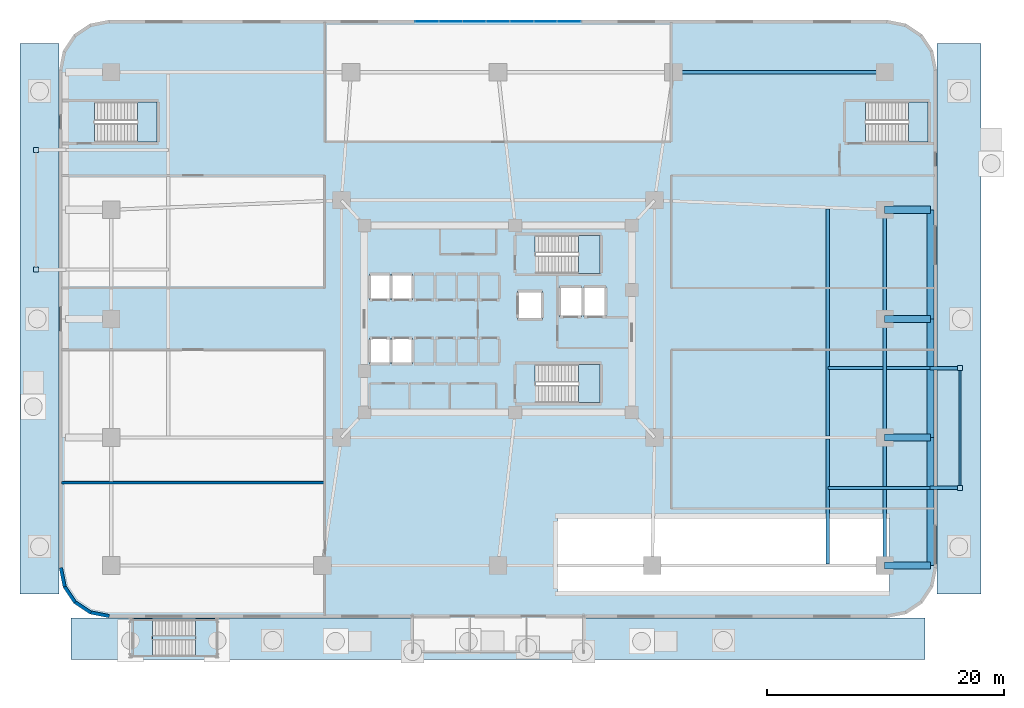
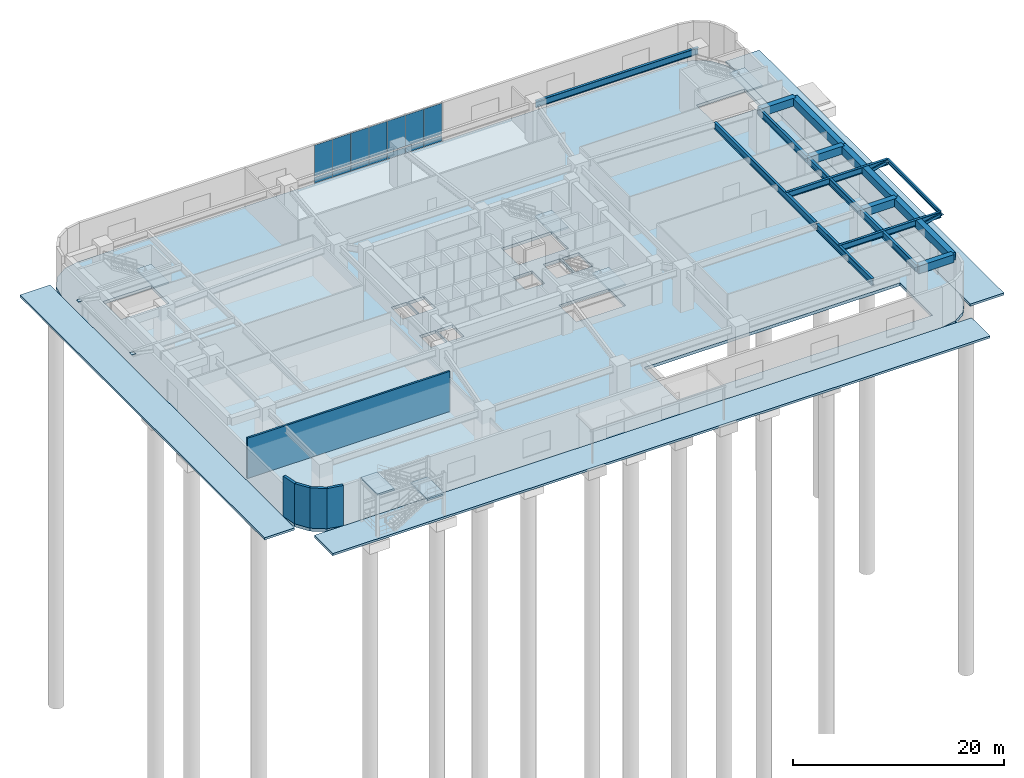
# One storey, part 10 of 18: 18 plates, 16 beams, 10 slabs, 5 walls, 2 members, 6 elements without a shape of their own.
"""IFC4 building model written with IfcOpenShell, lengths in metres."""

from ifc_helpers import new_model, si_unit, direction, frame, frame_2d, origin, origin_2d, place, context, subcontext, project, spatial, polyline, rectangle, hollow_rectangle, i_section, outline, extrude, material, layer, layer_set, material_profile, profile_set, type_object, element, aggregate, save


model = new_model("IFC4")

# Units and contexts
model_context = context("Model", 3, precision=1e-05, world=origin(), true_north=direction((0.0, 1.0)))
body_context = subcontext(model_context, "Body", "Model", "MODEL_VIEW")
ifc_project = project(units=[si_unit("LENGTHUNIT", "METRE"), si_unit("AREAUNIT", "SQUARE_METRE"), si_unit("VOLUMEUNIT", "CUBIC_METRE"), si_unit("PLANEANGLEUNIT", "RADIAN"), si_unit("MASSUNIT", "GRAM", prefix="KILO")], contexts=[model_context])

# Site, building, storey
site_placement = place(None, origin())
site = spatial("IfcSite", under=ifc_project, at=site_placement, CompositionType="ELEMENT")
building_placement = place(site_placement, origin())
building = spatial("IfcBuilding", under=site, at=building_placement, Name="Zulverin Broadcast Headquarters", CompositionType="ELEMENT")
storey_placement = place(building_placement, origin())
storey = spatial("IfcBuildingStorey", under=building, at=storey_placement, Name="L00", CompositionType="ELEMENT", Elevation=0.0)

# Beams
ifc_material_1 = material(Name="Concrete C40/50", Category="concrete")
ifc_material_profile_1 = material_profile(ifc_material_1, rectangle(XDim=0.60009765625, YDim=0.89990234375, at=origin_2d()), Name="Concrete C40/50", Category="concrete")
ifc_profile_set_1 = profile_set([ifc_material_profile_1], Name="Concrete C40/50")
beam_type_1 = type_object("IfcBeamType", Name="BM-RC-600x900", PredefinedType="BEAM", material=ifc_profile_set_1)
for number, where, z_axis, x_axis, name in (
    (1, (69.60009765625, 4.39990234375, 4.2099609375), (1.0, 0.0, 0.0), (0.0, 1.0, 0.0), "L00 East Perimeter Bracket Girder EBR-1"),
    (2, (69.60009765625, 15.199951171875, 4.2099609375), (1.0, 0.0, 0.0), (0.0, 1.0, 0.0), "L00 East Perimeter Bracket Girder EBR-2"),
    (3, (69.60009765625, 25.199951171875, 4.2099609375), (1.0, 0.0, 0.0), (0.0, 1.0, 0.0), "L00 East Perimeter Bracket Girder EBR-3"),
    (4, (69.60009765625, 34.39990234375, 4.2099609375), (1.0, 0.0, 0.0), (0.0, 1.0, 0.0), "L00 East Perimeter Bracket Girder EBR-4"),
):
    element("IfcBeam", number, at=place(storey_placement, frame(where, z_axis=z_axis, x_axis=x_axis)), inside=storey, type_object=beam_type_1, Name=name, PredefinedType="BEAM", context=body_context, shape_type="SweptSolid", body=[
        extrude(rectangle(XDim=0.60009765625, YDim=0.89990234375, at=origin_2d()), origin(), (0.0, 0.0, 1.0), 3.849853515625),
    ])
beam_1_placement = place(storey_placement, frame((73.449951171875, 4.39990234375, 4.2099609375), z_axis=(0.0, 1.0, 0.0), x_axis=(-1.0, 0.0, 0.0)))
element("IfcBeam", 5, at=beam_1_placement, inside=storey, type_object=beam_type_1, Name="L00 East Edge Spandrel Girder EEG-1", PredefinedType="BEAM", context=body_context, shape_type="SweptSolid", body=[
    extrude(rectangle(XDim=0.60009765625, YDim=0.89990234375, at=origin_2d()), origin(), (0.0, 0.0, 1.0), 10.800048828125),
])
beam_2_placement = place(storey_placement, frame((73.449951171875, 15.199951171875, 4.2099609375), z_axis=(0.0, 1.0, 0.0), x_axis=(-1.0, 0.0, 0.0)))
element("IfcBeam", 6, at=beam_2_placement, inside=storey, type_object=beam_type_1, Name="L00 East Edge Spandrel Girder EEG-2", PredefinedType="BEAM", context=body_context, shape_type="SweptSolid", body=[
    extrude(rectangle(XDim=0.60009765625, YDim=0.89990234375, at=origin_2d()), origin(), (0.0, 0.0, 1.0), 10.0),
])
beam_3_placement = place(storey_placement, frame((73.449951171875, 25.199951171875, 4.2099609375), z_axis=(0.0, 1.0, 0.0), x_axis=(-1.0, 0.0, 0.0)))
element("IfcBeam", 7, at=beam_3_placement, inside=storey, type_object=beam_type_1, Name="L00 East Edge Spandrel Girder EEG-3", PredefinedType="BEAM", context=body_context, shape_type="SweptSolid", body=[
    extrude(rectangle(XDim=0.60009765625, YDim=0.89990234375, at=origin_2d()), origin(), (0.0, 0.0, 1.0), 9.199951171875),
])
ifc_material_2 = material(Name="Structural steel S355JR", Category="steel")
ifc_material_profile_2 = material_profile(ifc_material_2, i_section(OverallWidth=0.19287109375, OverallDepth=0.46728515625, WebThickness=0.011474609375, FlangeThickness=0.01953125, at=origin_2d()), Name="Structural steel S355JR", Category="steel")
ifc_profile_set_2 = profile_set([ifc_material_profile_2], Name="Structural steel S355JR")
beam_type_2 = type_object("IfcBeamType", Name="BM-UB-457", PredefinedType="JOIST", material=ifc_profile_set_2)
beam_4_placement = place(storey_placement, frame((75.949951171875, 10.949951171875, 4.426513671875), z_axis=(0.0, 1.0, 0.0), x_axis=(-1.0, 0.0, 0.0)))
element("IfcBeam", 8, at=beam_4_placement, inside=storey, type_object=beam_type_2, Name="L01 Studio Box Base Edge Beam SBOX_POD_LOWER_E1", PredefinedType="JOIST", context=body_context, shape_type="SweptSolid", body=[
    extrude(i_section(OverallWidth=0.19287109375, OverallDepth=0.46728515625, WebThickness=0.011474609375, FlangeThickness=0.01953125, at=origin_2d()), origin(), (0.0, 0.0, 1.0), 10.10009765625),
])
ifc_material_profile_3 = material_profile(ifc_material_2, i_section(OverallWidth=0.255859375, OverallDepth=0.69287109375, WebThickness=0.014404296875, FlangeThickness=0.023681640625, at=origin_2d()), Name="Structural steel S355JR", Category="steel")
ifc_profile_set_3 = profile_set([ifc_material_profile_3], Name="Structural steel S355JR")
beam_type_3 = type_object("IfcBeamType", Name="BM-UB-686", PredefinedType="BEAM", material=ifc_profile_set_3)
for number, where, z_axis, x_axis, name in (
    (9, (64.800048828125, 10.949951171875, 4.313720703125), (1.0, 0.0, 0.0), (0.0, 1.0, 0.0), "L01 Studio Box Base Cantilever Girder SBOX_POD_LOWER_E1-1"),
    (10, (64.800048828125, 21.050048828125, 4.313720703125), (1.0, 0.0, 0.0), (0.0, 1.0, 0.0), "L01 Studio Box Base Cantilever Girder SBOX_POD_LOWER_E1-2"),
):
    element("IfcBeam", number, at=place(storey_placement, frame(where, z_axis=z_axis, x_axis=x_axis)), inside=storey, type_object=beam_type_3, Name=name, PredefinedType="BEAM", context=body_context, shape_type="SweptSolid", body=[
        extrude(i_section(OverallWidth=0.255859375, OverallDepth=0.69287109375, WebThickness=0.014404296875, FlangeThickness=0.023681640625, at=origin_2d()), origin(), (0.0, 0.0, 1.0), 11.14990234375),
    ])
ifc_material_profile_4 = material_profile(ifc_material_2, i_section(OverallWidth=0.26806640625, OverallDepth=0.769775390625, WebThickness=0.015625, FlangeThickness=0.025390625, at=origin_2d()), Name="Structural steel S355JR", Category="steel")
ifc_profile_set_4 = profile_set([ifc_material_profile_4], Name="Structural steel S355JR")
beam_type_4 = type_object("IfcBeamType", Name="BM-UB-762", PredefinedType="BEAM", material=ifc_profile_set_4)
beam_5_placement = place(storey_placement, frame((69.60009765625, 4.39990234375, 4.275146484375), z_axis=(0.0, 1.0, 0.0), x_axis=(-1.0, 0.0, 0.0)))
element("IfcBeam", 11, at=beam_5_placement, inside=storey, type_object=beam_type_4, Name="L00 Podium Primary Girder P05-P14", PredefinedType="BEAM", context=body_context, shape_type="SweptSolid", body=[
    extrude(i_section(OverallWidth=0.26806640625, OverallDepth=0.769775390625, WebThickness=0.015625, FlangeThickness=0.025390625, at=origin_2d()), origin(), (0.0, 0.0, 1.0), 10.800048828125),
])
beam_6_placement = place(storey_placement, frame((69.60009765625, 15.199951171875, 4.275146484375), z_axis=(0.0, 1.0, 0.0), x_axis=(-1.0, 0.0, 0.0)))
element("IfcBeam", 12, at=beam_6_placement, inside=storey, type_object=beam_type_4, Name="L00 Podium Primary Girder P14-P15", PredefinedType="BEAM", context=body_context, shape_type="SweptSolid", body=[
    extrude(i_section(OverallWidth=0.26806640625, OverallDepth=0.769775390625, WebThickness=0.015625, FlangeThickness=0.025390625, at=origin_2d()), origin(), (0.0, 0.0, 1.0), 10.0),
])
beam_7_placement = place(storey_placement, frame((69.60009765625, 25.199951171875, 4.275146484375), z_axis=(0.0, 1.0, 0.0), x_axis=(-1.0, 0.0, 0.0)))
element("IfcBeam", 13, at=beam_7_placement, inside=storey, type_object=beam_type_4, Name="L00 Podium Primary Girder P15-P16", PredefinedType="BEAM", context=body_context, shape_type="SweptSolid", body=[
    extrude(i_section(OverallWidth=0.26806640625, OverallDepth=0.769775390625, WebThickness=0.015625, FlangeThickness=0.025390625, at=origin_2d()), origin(), (0.0, 0.0, 1.0), 9.199951171875),
])
beam_8_placement = place(storey_placement, frame((69.60009765625, 46.0, 4.275146484375), z_axis=(-1.0, 0.0, 0.0), x_axis=(0.0, -1.0, 0.0)))
element("IfcBeam", 14, at=beam_8_placement, inside=storey, type_object=beam_type_4, Name="L00 Podium Primary Girder P10-P09", PredefinedType="BEAM", context=body_context, shape_type="SweptSolid", body=[
    extrude(i_section(OverallWidth=0.26806640625, OverallDepth=0.769775390625, WebThickness=0.015625, FlangeThickness=0.025390625, at=origin_2d()), origin(), (0.0, 0.0, 1.0), 17.800048828125),
])
beam_9_placement = place(storey_placement, frame((64.800048828125, 4.533935546875, 4.275146484375), z_axis=(0.0, 1.0, 0.0), x_axis=(-1.0, 0.0, 0.0)))
element("IfcBeam", 15, at=beam_9_placement, inside=storey, type_object=beam_type_4, Name="L00 East Back-Span Anchor Beam ESBA-1", PredefinedType="BEAM", context=body_context, shape_type="SweptSolid", body=[
    extrude(i_section(OverallWidth=0.26806640625, OverallDepth=0.769775390625, WebThickness=0.015625, FlangeThickness=0.025390625, at=origin_2d()), origin(), (0.0, 0.0, 1.0), 10.531982421875),
])
beam_10_placement = place(storey_placement, frame((64.800048828125, 15.333984375, 4.275146484375), z_axis=(0.0, 1.0, 0.0), x_axis=(-1.0, 0.0, 0.0)))
element("IfcBeam", 16, at=beam_10_placement, inside=storey, type_object=beam_type_4, Name="L00 East Back-Span Anchor Beam ESBA-2", PredefinedType="BEAM", context=body_context, shape_type="SweptSolid", body=[
    extrude(i_section(OverallWidth=0.26806640625, OverallDepth=0.769775390625, WebThickness=0.015625, FlangeThickness=0.025390625, at=origin_2d()), origin(), (0.0, 0.0, 1.0), 19.1298828125),
])

# Members
ifc_material_profile_5 = material_profile(ifc_material_2, hollow_rectangle(XDim=0.300048828125, YDim=0.300048828125, WallThickness=0.01611328125, at=origin_2d()), Name="Structural steel S355JR", Category="steel")
ifc_profile_set_5 = profile_set([ifc_material_profile_5], Name="Structural steel S355JR")
member_type = type_object("IfcMemberType", Name="MBR-BLT-DIAG1", PredefinedType="BRACE", material=ifc_profile_set_5)
for number, where, z_axis, x_axis, name in (
    (17, (73.449951171875, 10.949951171875, 3.81005859375), (0.976640463768, 0.0, 0.214879977038), (0.0, 1.0, 0.0), "L01 Studio Box Base Knee Brace SBOX_POD_LOWER_E1-1"),
    (18, (73.449951171875, 21.050048828125, 3.81005859375), (0.976640463768, 0.0, 0.214879977038), (0.0, 1.0, 0.0), "L01 Studio Box Base Knee Brace SBOX_POD_LOWER_E1-2"),
):
    element("IfcMember", number, at=place(storey_placement, frame(where, z_axis=z_axis, x_axis=x_axis)), inside=storey, type_object=member_type, Name=name, PredefinedType="BRACE", context=body_context, shape_type="SweptSolid", body=[
        extrude(hollow_rectangle(XDim=0.300048828125, YDim=0.300048828125, WallThickness=0.01611328125, at=origin_2d()), origin(), (0.0, 0.0, 1.0), 2.559814453125),
    ])

# Curtain wall, plates
ifc_material_3 = material(Name="Pale-metal unitised podium curtain wall", Category="aluminium")
curtain_wall_type = type_object("IfcCurtainWallType", Name="CW-POD", PredefinedType="USERDEFINED", material=ifc_material_3)
curtain_wall_placement = place(storey_placement, origin())
curtain_wall = element("IfcCurtainWall", 19, at=curtain_wall_placement, inside=storey, type_object=curtain_wall_type, Name="L00 Unitised Curtain Wall CW-L00-N2", ObjectType="UNITISED CURTAIN WALL", PredefinedType="USERDEFINED")
ifc_material_4 = material(Name="Low-E double-glazed pale-silver vision glass", Category="glass")
ifc_layer_1 = layer(ifc_material_4, 0.035888671875, Name="Low-E double-glazed pale-silver vision glass", Category="glass")
ifc_layer_set_1 = layer_set([ifc_layer_1], Name="Low-E double-glazed pale-silver vision glass")
plate_type_1 = type_object("IfcPlateType", Name="CW-PNL-GLZ", PredefinedType="CURTAIN_PANEL", material=ifc_layer_set_1)
plate_1_placement = place(storey_placement, frame((43.0, 50.280029296875, 0.9150390625), z_axis=(0.0, 0.0, 1.0), x_axis=(-1.0, 0.0, 0.0)))
plate_1 = element("IfcPlate", 20, at=plate_1_placement, type_object=plate_type_1, Name="CW-L00-N2 Vision Panel 00", PredefinedType="CURTAIN_PANEL", context=body_context, shape_type="SweptSolid", body=[
    extrude(rectangle(XDim=1.9599609375, YDim=0.035888671875, at=origin_2d()), origin(), (0.0, 0.0, 1.0), 3.60498046875),
])
plate_2_placement = place(storey_placement, frame((41.0, 50.280029296875, 0.9150390625), z_axis=(0.0, 0.0, 1.0), x_axis=(-1.0, 0.0, 0.0)))
plate_2 = element("IfcPlate", 21, at=plate_2_placement, type_object=plate_type_1, Name="CW-L00-N2 Vision Panel 01", PredefinedType="CURTAIN_PANEL", context=body_context, shape_type="SweptSolid", body=[
    extrude(rectangle(XDim=1.9599609375, YDim=0.035888671875, at=origin_2d()), origin(), (0.0, 0.0, 1.0), 3.60498046875),
])
plate_3_placement = place(storey_placement, frame((39.0, 50.280029296875, 0.9150390625), z_axis=(0.0, 0.0, 1.0), x_axis=(-1.0, 0.0, 0.0)))
plate_3 = element("IfcPlate", 22, at=plate_3_placement, type_object=plate_type_1, Name="CW-L00-N2 Vision Panel 02", PredefinedType="CURTAIN_PANEL", context=body_context, shape_type="SweptSolid", body=[
    extrude(rectangle(XDim=1.9599609375, YDim=0.035888671875, at=origin_2d()), origin(), (0.0, 0.0, 1.0), 3.60498046875),
])
plate_4_placement = place(storey_placement, frame((37.0, 50.280029296875, 0.9150390625), z_axis=(0.0, 0.0, 1.0), x_axis=(-1.0, 0.0, 0.0)))
plate_4 = element("IfcPlate", 23, at=plate_4_placement, type_object=plate_type_1, Name="CW-L00-N2 Vision Panel 03", PredefinedType="CURTAIN_PANEL", context=body_context, shape_type="SweptSolid", body=[
    extrude(rectangle(XDim=1.9599609375, YDim=0.035888671875, at=origin_2d()), origin(), (0.0, 0.0, 1.0), 3.60498046875),
])
plate_5_placement = place(storey_placement, frame((35.0, 50.280029296875, 0.9150390625), z_axis=(0.0, 0.0, 1.0), x_axis=(-1.0, 0.0, 0.0)))
plate_5 = element("IfcPlate", 24, at=plate_5_placement, type_object=plate_type_1, Name="CW-L00-N2 Vision Panel 04", PredefinedType="CURTAIN_PANEL", context=body_context, shape_type="SweptSolid", body=[
    extrude(rectangle(XDim=1.9599609375, YDim=0.035888671875, at=origin_2d()), origin(), (0.0, 0.0, 1.0), 3.60498046875),
])
plate_6_placement = place(storey_placement, frame((33.0, 50.280029296875, 0.9150390625), z_axis=(0.0, 0.0, 1.0), x_axis=(-1.0, 0.0, 0.0)))
plate_6 = element("IfcPlate", 25, at=plate_6_placement, type_object=plate_type_1, Name="CW-L00-N2 Vision Panel 05", PredefinedType="CURTAIN_PANEL", context=body_context, shape_type="SweptSolid", body=[
    extrude(rectangle(XDim=1.9599609375, YDim=0.035888671875, at=origin_2d()), origin(), (0.0, 0.0, 1.0), 3.60498046875),
])
plate_7_placement = place(storey_placement, frame((31.0, 50.280029296875, 0.9150390625), z_axis=(0.0, 0.0, 1.0), x_axis=(-1.0, 0.0, 0.0)))
plate_7 = element("IfcPlate", 26, at=plate_7_placement, type_object=plate_type_1, Name="CW-L00-N2 Vision Panel 06", PredefinedType="CURTAIN_PANEL", context=body_context, shape_type="SweptSolid", body=[
    extrude(rectangle(XDim=1.9599609375, YDim=0.035888671875, at=origin_2d()), origin(), (0.0, 0.0, 1.0), 3.60498046875),
])
ifc_material_5 = material(Name="Insulated brushed pale-aluminium spandrel cassette", Category="aluminium")
ifc_layer_2 = layer(ifc_material_5, 0.050048828125, Name="Insulated brushed pale-aluminium spandrel cassette", Category="aluminium")
ifc_layer_set_2 = layer_set([ifc_layer_2], Name="Insulated brushed pale-aluminium spandrel cassette")
plate_type_2 = type_object("IfcPlateType", Name="CW-PNL-SPN", PredefinedType="CURTAIN_PANEL", material=ifc_layer_set_2)
plate_8_placement = place(storey_placement, frame((43.0, 50.280029296875, 0.139892578125), z_axis=(0.0, 0.0, 1.0), x_axis=(-1.0, 0.0, 0.0)))
plate_8 = element("IfcPlate", 27, at=plate_8_placement, type_object=plate_type_2, Name="CW-L00-N2 Spandrel Cassette 00", PredefinedType="CURTAIN_PANEL", context=body_context, shape_type="SweptSolid", body=[
    extrude(rectangle(XDim=1.9599609375, YDim=0.050048828125, at=origin_2d()), origin(), (0.0, 0.0, 1.0), 0.64501953125),
])
plate_9_placement = place(storey_placement, frame((41.0, 50.280029296875, 0.139892578125), z_axis=(0.0, 0.0, 1.0), x_axis=(-1.0, 0.0, 0.0)))
plate_9 = element("IfcPlate", 28, at=plate_9_placement, type_object=plate_type_2, Name="CW-L00-N2 Spandrel Cassette 01", PredefinedType="CURTAIN_PANEL", context=body_context, shape_type="SweptSolid", body=[
    extrude(rectangle(XDim=1.9599609375, YDim=0.050048828125, at=origin_2d()), origin(), (0.0, 0.0, 1.0), 0.64501953125),
])
plate_10_placement = place(storey_placement, frame((39.0, 50.280029296875, 0.139892578125), z_axis=(0.0, 0.0, 1.0), x_axis=(-1.0, 0.0, 0.0)))
plate_10 = element("IfcPlate", 29, at=plate_10_placement, type_object=plate_type_2, Name="CW-L00-N2 Spandrel Cassette 02", PredefinedType="CURTAIN_PANEL", context=body_context, shape_type="SweptSolid", body=[
    extrude(rectangle(XDim=1.9599609375, YDim=0.050048828125, at=origin_2d()), origin(), (0.0, 0.0, 1.0), 0.64501953125),
])
plate_11_placement = place(storey_placement, frame((37.0, 50.280029296875, 0.139892578125), z_axis=(0.0, 0.0, 1.0), x_axis=(-1.0, 0.0, 0.0)))
plate_11 = element("IfcPlate", 30, at=plate_11_placement, type_object=plate_type_2, Name="CW-L00-N2 Spandrel Cassette 03", PredefinedType="CURTAIN_PANEL", context=body_context, shape_type="SweptSolid", body=[
    extrude(rectangle(XDim=1.9599609375, YDim=0.050048828125, at=origin_2d()), origin(), (0.0, 0.0, 1.0), 0.64501953125),
])
plate_12_placement = place(storey_placement, frame((35.0, 50.280029296875, 0.139892578125), z_axis=(0.0, 0.0, 1.0), x_axis=(-1.0, 0.0, 0.0)))
plate_12 = element("IfcPlate", 31, at=plate_12_placement, type_object=plate_type_2, Name="CW-L00-N2 Spandrel Cassette 04", PredefinedType="CURTAIN_PANEL", context=body_context, shape_type="SweptSolid", body=[
    extrude(rectangle(XDim=1.9599609375, YDim=0.050048828125, at=origin_2d()), origin(), (0.0, 0.0, 1.0), 0.64501953125),
])
plate_13_placement = place(storey_placement, frame((33.0, 50.280029296875, 0.139892578125), z_axis=(0.0, 0.0, 1.0), x_axis=(-1.0, 0.0, 0.0)))
plate_13 = element("IfcPlate", 32, at=plate_13_placement, type_object=plate_type_2, Name="CW-L00-N2 Spandrel Cassette 05", PredefinedType="CURTAIN_PANEL", context=body_context, shape_type="SweptSolid", body=[
    extrude(rectangle(XDim=1.9599609375, YDim=0.050048828125, at=origin_2d()), origin(), (0.0, 0.0, 1.0), 0.64501953125),
])
plate_14_placement = place(storey_placement, frame((31.0, 50.280029296875, 0.139892578125), z_axis=(0.0, 0.0, 1.0), x_axis=(-1.0, 0.0, 0.0)))
plate_14 = element("IfcPlate", 33, at=plate_14_placement, type_object=plate_type_2, Name="CW-L00-N2 Spandrel Cassette 06", PredefinedType="CURTAIN_PANEL", context=body_context, shape_type="SweptSolid", body=[
    extrude(rectangle(XDim=1.9599609375, YDim=0.050048828125, at=origin_2d()), origin(), (0.0, 0.0, 1.0), 0.64501953125),
])
aggregate(curtain_wall, [plate_8, plate_1, plate_9, plate_2, plate_10, plate_3, plate_11, plate_4, plate_12, plate_5, plate_13, plate_6, plate_14, plate_7])

# Plates
ifc_layer_3 = layer(ifc_material_2, 0.02490234375, Name="Structural steel S355JR", Category="steel")
ifc_layer_set_3 = layer_set([ifc_layer_3], Name="Structural steel S355JR")
plate_type_3 = type_object("IfcPlateType", Name="PLT-NODE-SBN1", PredefinedType="SHEET", material=ifc_layer_set_3)
for number, where, z_axis, x_axis, name in (
    (34, (75.949951171875, 10.949951171875, 4.297607421875), (0.0, 0.0, 1.0), (1.0, 0.0, 0.0), "SBN-1 Studio Box Base Gusset Plate L00-SBOX_POD_LOWER_E1-1"),
    (35, (75.949951171875, 21.050048828125, 4.297607421875), (0.0, 0.0, 1.0), (1.0, 0.0, 0.0), "SBN-1 Studio Box Base Gusset Plate L00-SBOX_POD_LOWER_E1-2"),
    (36, (-1.949951171875, 29.35009765625, 4.297607421875), (0.0, 0.0, 1.0), (1.0, 0.0, 0.0), "SBN-1 Studio Box Base Gusset Plate L00-SBOX_POD_LOWER_W1-1"),
    (37, (-1.949951171875, 39.449951171875, 4.297607421875), (0.0, 0.0, 1.0), (1.0, 0.0, 0.0), "SBN-1 Studio Box Base Gusset Plate L00-SBOX_POD_LOWER_W1-2"),
):
    element("IfcPlate", number, at=place(storey_placement, frame(where, z_axis=z_axis, x_axis=x_axis)), inside=storey, type_object=plate_type_3, Name=name, PredefinedType="SHEET", context=body_context, shape_type="SweptSolid", body=[
        extrude(rectangle(XDim=0.419921875, YDim=0.419921875, at=origin_2d()), origin(), (0.0, 0.0, 1.0), 0.02490234375),
    ])

# Slabs
ifc_layer_4 = layer(ifc_material_1, 0.25, Name="Concrete C40/50", Category="concrete")
ifc_layer_set_4 = layer_set([ifc_layer_4], Name="Concrete C40/50")
slab_type_1 = type_object("IfcSlabType", Name="SLB-APRON-250", PredefinedType="FLOOR", material=ifc_layer_set_4)
slab_1_placement = place(storey_placement, frame((0.0, 0.0, -0.25)))
element("IfcSlab", 38, at=slab_1_placement, inside=storey, type_object=slab_type_1, Name="South Entrance Forecourt Plaza Slab", PredefinedType="FLOOR", context=body_context, shape_type="SweptSolid", body=[
    extrude(outline(polyline([(1.0, -3.5), (73.0, -3.5), (73.0, 0.0), (1.0, 0.0), (1.0, -3.5)])), origin(), (0.0, 0.0, 1.0), 0.25),
])
slab_2_placement = place(storey_placement, frame((0.0, 0.0, -0.25)))
element("IfcSlab", 39, at=slab_2_placement, inside=storey, type_object=slab_type_1, Name="East Vehicle Ramp Driveway & Loading Apron Slab", PredefinedType="FLOOR", context=body_context, shape_type="SweptSolid", body=[
    extrude(outline(polyline([(74.0, 2.0), (77.699951171875, 2.0), (77.699951171875, 48.39990234375), (74.0, 48.39990234375), (74.0, 2.0)])), origin(), (0.0, 0.0, 1.0), 0.25),
])
slab_3_placement = place(storey_placement, frame((0.0, 0.0, -0.25)))
element("IfcSlab", 40, at=slab_3_placement, inside=storey, type_object=slab_type_1, Name="West Forecourt Plaza Slab", PredefinedType="FLOOR", context=body_context, shape_type="SweptSolid", body=[
    extrude(outline(polyline([(-3.300048828125, 2.0), (0.0, 2.0), (0.0, 48.39990234375), (-3.300048828125, 48.39990234375), (-3.300048828125, 2.0)])), origin(), (0.0, 0.0, 1.0), 0.25),
])
ifc_layer_5 = layer(ifc_material_1, 0.35009765625, Name="Concrete C40/50", Category="concrete")
ifc_layer_set_5 = layer_set([ifc_layer_5], Name="Concrete C40/50")
slab_type_2 = type_object("IfcSlabType", Name="SLB-POD-350", PredefinedType="FLOOR", material=ifc_layer_set_5)
slab_4_placement = place(storey_placement, frame((0.0, 0.0, -0.35009765625)))
element("IfcSlab", 41, at=slab_4_placement, inside=storey, type_object=slab_type_2, Name="L00 Main Structural Floor Slab", PredefinedType="FLOOR", context=body_context, shape_type="SweptSolid", body=[
    extrude(outline(polyline([(69.800048828125, 0.0), (71.4072265625, 0.319580078125), (72.769775390625, 1.230224609375), (73.680419921875, 2.5927734375), (74.0, 4.199951171875), (74.0, 46.199951171875), (73.680419921875, 47.807373046875), (72.769775390625, 49.169921875), (71.4072265625, 50.080322265625), (69.800048828125, 50.39990234375), (4.199951171875, 50.39990234375), (2.5927734375, 50.080322265625), (1.230224609375, 49.169921875), (0.319580078125, 47.807373046875), (0.0, 46.199951171875), (0.0, 4.199951171875), (0.319580078125, 2.5927734375), (1.230224609375, 1.230224609375), (2.5927734375, 0.319580078125), (4.199951171875, 0.0), (69.800048828125, 0.0)]), holes=[polyline([(40.155029296875, 30.75), (40.13037109375, 30.75), (40.13037109375, 32.25), (45.60009765625, 32.25), (45.60009765625, 29.050048828125), (40.155029296875, 29.050048828125), (40.155029296875, 30.75)]), polyline([(40.155029296875, 19.85009765625), (40.13037109375, 19.85009765625), (40.13037109375, 21.35009765625), (45.60009765625, 21.35009765625), (45.60009765625, 18.14990234375), (40.155029296875, 18.14990234375), (40.155029296875, 19.85009765625)]), polyline([(2.9951171875, 41.89990234375), (2.970458984375, 41.89990234375), (2.970458984375, 43.5), (8.25, 43.5), (8.25, 40.10009765625), (2.9951171875, 40.10009765625), (2.9951171875, 41.89990234375)]), polyline([(67.9951171875, 41.89990234375), (67.970458984375, 41.89990234375), (67.970458984375, 43.5), (73.25, 43.5), (73.25, 40.10009765625), (67.9951171875, 40.10009765625), (67.9951171875, 41.89990234375)]), polyline([(26.14990234375, 26.800048828125), (27.89990234375, 26.800048828125), (27.89990234375, 29.0), (26.14990234375, 29.0), (26.14990234375, 26.800048828125)]), polyline([(28.02001953125, 26.800048828125), (29.77001953125, 26.800048828125), (29.77001953125, 29.0), (28.02001953125, 29.0), (28.02001953125, 26.800048828125)]), polyline([(26.14990234375, 21.39990234375), (27.89990234375, 21.39990234375), (27.89990234375, 23.60009765625), (26.14990234375, 23.60009765625), (26.14990234375, 21.39990234375)]), polyline([(28.02001953125, 21.39990234375), (29.77001953125, 21.39990234375), (29.77001953125, 23.60009765625), (28.02001953125, 23.60009765625), (28.02001953125, 21.39990234375)]), polyline([(42.199951171875, 25.35009765625), (44.050048828125, 25.35009765625), (44.050048828125, 27.949951171875), (42.199951171875, 27.949951171875), (42.199951171875, 25.35009765625)]), polyline([(44.25, 25.35009765625), (46.10009765625, 25.35009765625), (46.10009765625, 27.949951171875), (44.25, 27.949951171875), (44.25, 25.35009765625)]), polyline([(38.64990234375, 25.14990234375), (40.75, 25.14990234375), (40.75, 27.550048828125), (38.64990234375, 27.550048828125), (38.64990234375, 25.14990234375)]), polyline([(42.0, 2.199951171875), (69.999755859375, 2.199951171875), (69.999755859375, 8.39990234375), (42.0, 8.39990234375), (42.0, 2.199951171875)])]), origin(), (0.0, 0.0, 1.0), 0.35009765625),
])

# Stair, slab
stair_type_1 = type_object("IfcStairType", Name="ST-CORE-1500", PredefinedType="HALF_TURN_STAIR", material=ifc_material_1)
stair_1_placement = place(storey_placement, origin())
stair_1 = element("IfcStair", 42, at=stair_1_placement, inside=storey, type_object=stair_type_1, Name="L00 Core Exit Stair ST-1", PredefinedType="HALF_TURN_STAIR")
ifc_layer_6 = layer(ifc_material_1, 0.199951171875, Name="Concrete C40/50", Category="concrete")
ifc_layer_set_6 = layer_set([ifc_layer_6], Name="Concrete C40/50")
slab_type_3 = type_object("IfcSlabType", Name="SLB-ST-LND200", PredefinedType="LANDING", material=ifc_layer_set_6)
slab_5_placement = place(storey_placement, frame((0.0, 0.0, 2.300048828125)))
slab_5 = element("IfcSlab", 43, at=slab_5_placement, type_object=slab_type_3, Name="ST-1 landing 1", PredefinedType="LANDING", context=body_context, shape_type="SweptSolid", body=[
    extrude(outline(polyline([(43.77001953125, 29.050048828125), (45.60009765625, 29.050048828125), (45.60009765625, 32.25), (43.77001953125, 32.25), (43.77001953125, 29.050048828125)])), origin(), (0.0, 0.0, 1.0), 0.199951171875),
])
aggregate(stair_1, [slab_5])

stair_2_placement = place(storey_placement, origin())
stair_2 = element("IfcStair", 44, at=stair_2_placement, inside=storey, type_object=stair_type_1, Name="L00 Core Exit Stair ST-2", PredefinedType="HALF_TURN_STAIR")
slab_6_placement = place(storey_placement, frame((0.0, 0.0, 2.300048828125)))
slab_6 = element("IfcSlab", 45, at=slab_6_placement, type_object=slab_type_3, Name="ST-2 landing 1", PredefinedType="LANDING", context=body_context, shape_type="SweptSolid", body=[
    extrude(outline(polyline([(43.77001953125, 18.14990234375), (45.60009765625, 18.14990234375), (45.60009765625, 21.35009765625), (43.77001953125, 21.35009765625), (43.77001953125, 18.14990234375)])), origin(), (0.0, 0.0, 1.0), 0.199951171875),
])
aggregate(stair_2, [slab_6])

stair_type_2 = type_object("IfcStairType", Name="ST-POD-1600", PredefinedType="HALF_TURN_STAIR", material=ifc_material_1)
stair_3_placement = place(storey_placement, origin())
stair_3 = element("IfcStair", 46, at=stair_3_placement, inside=storey, type_object=stair_type_2, Name="L00 Podium Exit Stair ST-3", PredefinedType="HALF_TURN_STAIR")
slab_7_placement = place(storey_placement, frame((0.0, 0.0, 2.300048828125)))
slab_7 = element("IfcSlab", 47, at=slab_7_placement, type_object=slab_type_3, Name="ST-3 landing 1", PredefinedType="LANDING", context=body_context, shape_type="SweptSolid", body=[
    extrude(outline(polyline([(6.610107421875, 40.10009765625), (8.25, 40.10009765625), (8.25, 43.5), (6.610107421875, 43.5), (6.610107421875, 40.10009765625)])), origin(), (0.0, 0.0, 1.0), 0.199951171875),
])
aggregate(stair_3, [slab_7])

stair_4_placement = place(storey_placement, origin())
stair_4 = element("IfcStair", 48, at=stair_4_placement, inside=storey, type_object=stair_type_2, Name="L00 Podium Exit Stair ST-4", PredefinedType="HALF_TURN_STAIR")
slab_8_placement = place(storey_placement, frame((0.0, 0.0, 2.300048828125)))
slab_8 = element("IfcSlab", 49, at=slab_8_placement, type_object=slab_type_3, Name="ST-4 landing 1", PredefinedType="LANDING", context=body_context, shape_type="SweptSolid", body=[
    extrude(outline(polyline([(71.610107421875, 40.10009765625), (73.25, 40.10009765625), (73.25, 43.5), (71.610107421875, 43.5), (71.610107421875, 40.10009765625)])), origin(), (0.0, 0.0, 1.0), 0.199951171875),
])
aggregate(stair_4, [slab_8])

# Stair, slabs
stair_type_3 = type_object("IfcStairType", Name="ST-GDN-1500", PredefinedType="HALF_TURN_STAIR", material=ifc_material_1)
stair_5_placement = place(storey_placement, origin())
stair_5 = element("IfcStair", 50, at=stair_5_placement, inside=storey, type_object=stair_type_3, Name="L00 Exterior Public Garden Stair ST-5", PredefinedType="HALF_TURN_STAIR")
slab_9_placement = place(storey_placement, frame((0.0, 0.0, 2.300048828125)))
slab_9 = element("IfcSlab", 51, at=slab_9_placement, type_object=slab_type_3, Name="ST-5 landing 1", PredefinedType="LANDING", context=body_context, shape_type="SweptSolid", body=[
    extrude(outline(polyline([(11.489990234375, -3.280029296875), (13.39990234375, -3.280029296875), (13.39990234375, -0.080078125), (11.489990234375, -0.080078125), (11.489990234375, -3.280029296875)])), origin(), (0.0, 0.0, 1.0), 0.199951171875),
])
placement = place(building_placement, frame((0.0, 0.0, 5.0)))
slab_10_placement = place(placement, frame((0.0, 0.0, -0.199951171875)))
slab_10 = element("IfcSlab", 52, at=slab_10_placement, type_object=slab_type_3, Name="L01 Exterior Garden Stair Floor Landing", PredefinedType="LANDING", context=body_context, shape_type="SweptSolid", body=[
    extrude(outline(polyline([(6.02001953125, -3.280029296875), (7.875, -3.280029296875), (7.875, -1.679931640625), (7.850341796875, -1.679931640625), (7.850341796875, -0.080078125), (6.02001953125, -0.080078125), (6.02001953125, -3.280029296875)])), origin(), (0.0, 0.0, 1.0), 0.199951171875),
])
aggregate(stair_5, [slab_9, slab_10])

# Walls
ifc_material_6 = material(Name="Acoustic drywall steel stud", Category="steel")
ifc_layer_7 = layer(ifc_material_6, 0.199951171875, Name="Acoustic drywall steel stud", Category="steel")
ifc_layer_set_7 = layer_set([ifc_layer_7], Name="Acoustic drywall steel stud")
wall_type_1 = type_object("IfcWallType", Name="WL-ACOU-200", PredefinedType="PARTITIONING", material=ifc_layer_set_7)
wall_placement = place(storey_placement, frame((0.205078125, 11.39990234375, 0.0), z_axis=(0.0, 0.0, 1.0), x_axis=(1.0, 0.0, 0.0)))
element("IfcWall", 53, at=wall_placement, inside=storey, type_object=wall_type_1, Name="L00 Room Partition Wall RP-09", PredefinedType="PARTITIONING", context=body_context, shape_type="SweptSolid", body=[
    extrude(rectangle(XDim=22.19482421875, YDim=0.199951171875, at=frame_2d((11.097412109375, 0.0))), origin(), (0.0, 0.0, 1.0), 4.659912109375),
])
ifc_material_7 = material(Name="Insulated pale-metal clad concrete spandrel C40/50", Category="concrete")
ifc_layer_8 = layer(ifc_material_7, 0.280029296875, Name="Insulated pale-metal clad concrete spandrel C40/50", Category="concrete")
ifc_layer_set_8 = layer_set([ifc_layer_8], Name="Insulated pale-metal clad concrete spandrel C40/50")
wall_type_2 = type_object("IfcWallType", Name="WL-EXT-280", PredefinedType="STANDARD", material=ifc_layer_set_8)
for number, where, z_axis, x_axis, name in (
    (54, (0.13720703125, 4.227294921875, 0.0), (0.0, 0.0, 1.0), (0.19517056122, -0.980769316421, 0.0), "L00 Wind-Shaped Corner Spandrel Wall 3-1"),
    (55, (0.43603515625, 2.67041015625, 0.0), (0.0, 0.0, 1.0), (0.555731236514, -0.831362010656, 0.0), "L00 Wind-Shaped Corner Spandrel Wall 3-2"),
    (56, (1.30810546875, 1.3466796875, 0.0), (0.0, 0.0, 1.0), (0.831362010656, -0.555731236514, 0.0), "L00 Wind-Shaped Corner Spandrel Wall 3-3"),
    (57, (2.6201171875, 0.45703125, 0.0), (0.0, 0.0, 1.0), (0.980769316421, -0.19517056122, 0.0), "L00 Wind-Shaped Corner Spandrel Wall 3-4"),
):
    element("IfcWall", number, at=place(storey_placement, frame(where, z_axis=z_axis, x_axis=x_axis)), inside=storey, type_object=wall_type_2, Name=name, PredefinedType="STANDARD", context=body_context, shape_type="SweptSolid", body=[
        extrude(rectangle(XDim=1.638671875, YDim=0.280029296875, at=frame_2d((0.8193359375, 0.0))), origin(), (0.0, 0.0, 1.0), 4.659912109375),
    ])

save(model, "model.ifc")
